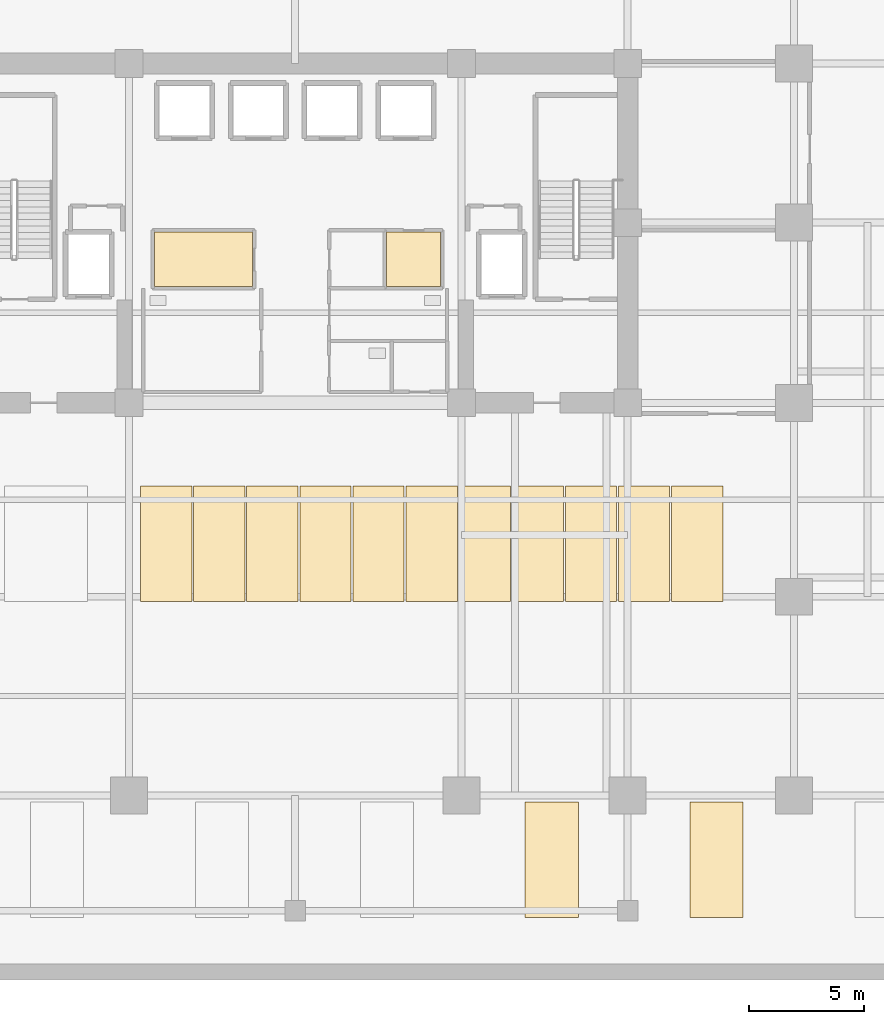
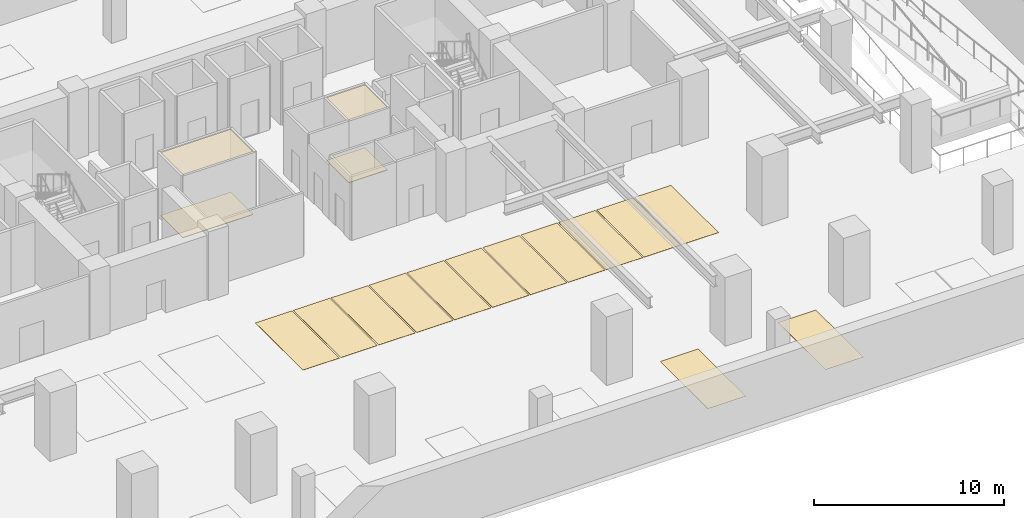
# One storey, part 9 of 14: 17 coverings.
"""IFC4 building model written with IfcOpenShell, lengths in metres."""

from ifc_helpers import new_model, si_unit, direction, frame, origin, place, context, subcontext, project, spatial, polyline, outline, extrude, material, layer, layer_set, type_object, element, save


model = new_model("IFC4")

# Units and contexts
model_context = context("Model", 3, precision=1e-05, world=origin(), true_north=direction((0.0, 1.0)))
body_context = subcontext(model_context, "Body", "Model", "MODEL_VIEW")
ifc_project = project(units=[si_unit("LENGTHUNIT", "METRE"), si_unit("AREAUNIT", "SQUARE_METRE"), si_unit("VOLUMEUNIT", "CUBIC_METRE"), si_unit("PLANEANGLEUNIT", "RADIAN"), si_unit("MASSUNIT", "GRAM", prefix="KILO")], contexts=[model_context])

# Site, building, storey
site_placement = place(None, origin())
site = spatial("IfcSite", under=ifc_project, at=site_placement, CompositionType="ELEMENT")
building_placement = place(site_placement, origin())
building = spatial("IfcBuilding", under=site, at=building_placement, Name="Zarnakvel Exchange Tower", CompositionType="ELEMENT")
storey_placement = place(building_placement, frame((0.0, 0.0, -4.39990234375)))
storey = spatial("IfcBuildingStorey", under=building, at=storey_placement, Name="B01", CompositionType="ELEMENT", Elevation=-4.39990234375)

# Coverings
ifc_material_1 = material(Name="Perforated Bronze Acoustic Metal Ceiling", Category="aluminium")
ifc_layer_1 = layer(ifc_material_1, 0.02001953125)
ifc_layer_set_1 = layer_set([ifc_layer_1], Name="Perforated Bronze Acoustic Metal Ceiling")
covering_type_1 = type_object("IfcCoveringType", Name="CLG-01", PredefinedType="CEILING", material=ifc_layer_set_1)
covering_1_placement = place(storey_placement, frame((0.0, 0.0, 4.039794921875)))
element("IfcCovering", 1, at=covering_1_placement, inside=storey, type_object=covering_type_1, Name="B01 Suspended Acoustic Ceiling (Regulatory Archive Office)", PredefinedType="CEILING", context=body_context, shape_type="SweptSolid", body=[
    extrude(outline(polyline([(-6.10009765625, 6.199951171875), (-1.85009765625, 6.199951171875), (-1.85009765625, 3.840087890625), (-6.10009765625, 3.840087890625), (-6.10009765625, 6.199951171875)])), origin(), (0.0, 0.0, 1.0), 0.02001953125),
])
covering_2_placement = place(storey_placement, frame((0.0, 0.0, 4.039794921875)))
element("IfcCovering", 2, at=covering_2_placement, inside=storey, type_object=covering_type_1, Name="B01 Suspended Acoustic Ceiling (Data Copy Room)", PredefinedType="CEILING", context=body_context, shape_type="SweptSolid", body=[
    extrude(outline(polyline([(3.9599609375, 6.199951171875), (6.300048828125, 6.199951171875), (6.300048828125, 3.840087890625), (3.9599609375, 3.840087890625), (3.9599609375, 6.199951171875)])), origin(), (0.0, 0.0, 1.0), 0.02001953125),
])
ifc_material_2 = material(Name="Heavy-Duty Raised Access Floor Panel", Category="steel")
ifc_layer_2 = layer(ifc_material_2, 0.034912109375)
ifc_layer_set_2 = layer_set([ifc_layer_2], Name="Heavy-Duty Raised Access Floor Panel")
covering_type_2 = type_object("IfcCoveringType", Name="FLR-02", PredefinedType="FLOORING", material=ifc_layer_set_2)
covering_3_placement = place(storey_placement, origin())
element("IfcCovering", 3, at=covering_3_placement, inside=storey, type_object=covering_type_2, Name="B01 Floor Finish (Regulatory Archive Office)", PredefinedType="FLOORING", context=body_context, shape_type="SweptSolid", body=[
    extrude(outline(polyline([(-6.10009765625, 6.199951171875), (-1.85009765625, 6.199951171875), (-1.85009765625, 3.840087890625), (-6.10009765625, 3.840087890625), (-6.10009765625, 6.199951171875)])), origin(), (0.0, 0.0, 1.0), 0.034912109375),
])
covering_4_placement = place(storey_placement, origin())
element("IfcCovering", 4, at=covering_4_placement, inside=storey, type_object=covering_type_2, Name="B01 Floor Finish (Data Copy Room)", PredefinedType="FLOORING", context=body_context, shape_type="SweptSolid", body=[
    extrude(outline(polyline([(3.9599609375, 6.199951171875), (6.300048828125, 6.199951171875), (6.300048828125, 3.840087890625), (3.9599609375, 3.840087890625), (3.9599609375, 6.199951171875)])), origin(), (0.0, 0.0, 1.0), 0.034912109375),
])
ifc_material_3 = material(Name="Thermoplastic Acrylic Bay Marking", Category="finish")
ifc_layer_3 = layer(ifc_material_3, 0.010009765625)
ifc_layer_set_3 = layer_set([ifc_layer_3], Name="Thermoplastic Acrylic Bay Marking")
covering_type_3 = type_object("IfcCoveringType", Name="MK-01", PredefinedType="FLOORING", material=ifc_layer_set_3)
covering_5_placement = place(storey_placement, origin())
element("IfcCovering", 5, at=covering_5_placement, inside=storey, type_object=covering_type_3, Name="B01 Standard Parking Bay Marking B01-09", PredefinedType="FLOORING", context=body_context, shape_type="SweptSolid", body=[
    extrude(outline(polyline([(9.9599609375, -23.5), (12.260009765625, -23.5), (12.260009765625, -18.5), (9.9599609375, -18.5), (9.9599609375, -23.5)])), origin(), (0.0, 0.0, 1.0), 0.010009765625),
])
covering_6_placement = place(storey_placement, origin())
element("IfcCovering", 6, at=covering_6_placement, inside=storey, type_object=covering_type_3, Name="B01 Standard Parking Bay Marking B01-10", PredefinedType="FLOORING", context=body_context, shape_type="SweptSolid", body=[
    extrude(outline(polyline([(17.10009765625, -23.5), (19.39990234375, -23.5), (19.39990234375, -18.5), (17.10009765625, -18.5), (17.10009765625, -23.5)])), origin(), (0.0, 0.0, 1.0), 0.010009765625),
])
covering_7_placement = place(storey_placement, origin())
element("IfcCovering", 7, at=covering_7_placement, inside=storey, type_object=covering_type_3, Name="B01 Standard Parking Bay Marking B01-14", PredefinedType="FLOORING", context=body_context, shape_type="SweptSolid", body=[
    extrude(outline(polyline([(-6.699951171875, -9.800048828125), (-4.47998046875, -9.800048828125), (-4.47998046875, -4.800048828125), (-6.699951171875, -4.800048828125), (-6.699951171875, -9.800048828125)])), origin(), (0.0, 0.0, 1.0), 0.010009765625),
])
covering_8_placement = place(storey_placement, origin())
element("IfcCovering", 8, at=covering_8_placement, inside=storey, type_object=covering_type_3, Name="B01 Standard Parking Bay Marking B01-15", PredefinedType="FLOORING", context=body_context, shape_type="SweptSolid", body=[
    extrude(outline(polyline([(-4.39990234375, -9.800048828125), (-2.179931640625, -9.800048828125), (-2.179931640625, -4.800048828125), (-4.39990234375, -4.800048828125), (-4.39990234375, -9.800048828125)])), origin(), (0.0, 0.0, 1.0), 0.010009765625),
])
covering_9_placement = place(storey_placement, origin())
element("IfcCovering", 9, at=covering_9_placement, inside=storey, type_object=covering_type_3, Name="B01 Standard Parking Bay Marking B01-16", PredefinedType="FLOORING", context=body_context, shape_type="SweptSolid", body=[
    extrude(outline(polyline([(-2.10009765625, -9.800048828125), (0.1201171875, -9.800048828125), (0.1201171875, -4.800048828125), (-2.10009765625, -4.800048828125), (-2.10009765625, -9.800048828125)])), origin(), (0.0, 0.0, 1.0), 0.010009765625),
])
covering_10_placement = place(storey_placement, origin())
element("IfcCovering", 10, at=covering_10_placement, inside=storey, type_object=covering_type_3, Name="B01 Standard Parking Bay Marking B01-17", PredefinedType="FLOORING", context=body_context, shape_type="SweptSolid", body=[
    extrude(outline(polyline([(0.199951171875, -9.800048828125), (2.419921875, -9.800048828125), (2.419921875, -4.800048828125), (0.199951171875, -4.800048828125), (0.199951171875, -9.800048828125)])), origin(), (0.0, 0.0, 1.0), 0.010009765625),
])
covering_11_placement = place(storey_placement, origin())
element("IfcCovering", 11, at=covering_11_placement, inside=storey, type_object=covering_type_3, Name="B01 Standard Parking Bay Marking B01-18", PredefinedType="FLOORING", context=body_context, shape_type="SweptSolid", body=[
    extrude(outline(polyline([(2.5, -9.800048828125), (4.719970703125, -9.800048828125), (4.719970703125, -4.800048828125), (2.5, -4.800048828125), (2.5, -9.800048828125)])), origin(), (0.0, 0.0, 1.0), 0.010009765625),
])
covering_12_placement = place(storey_placement, origin())
element("IfcCovering", 12, at=covering_12_placement, inside=storey, type_object=covering_type_3, Name="B01 Standard Parking Bay Marking B01-19", PredefinedType="FLOORING", context=body_context, shape_type="SweptSolid", body=[
    extrude(outline(polyline([(4.800048828125, -9.800048828125), (7.02001953125, -9.800048828125), (7.02001953125, -4.800048828125), (4.800048828125, -4.800048828125), (4.800048828125, -9.800048828125)])), origin(), (0.0, 0.0, 1.0), 0.010009765625),
])
covering_13_placement = place(storey_placement, origin())
element("IfcCovering", 13, at=covering_13_placement, inside=storey, type_object=covering_type_3, Name="B01 Standard Parking Bay Marking B01-20", PredefinedType="FLOORING", context=body_context, shape_type="SweptSolid", body=[
    extrude(outline(polyline([(7.10009765625, -9.800048828125), (9.320068359375, -9.800048828125), (9.320068359375, -4.800048828125), (7.10009765625, -4.800048828125), (7.10009765625, -9.800048828125)])), origin(), (0.0, 0.0, 1.0), 0.010009765625),
])
covering_14_placement = place(storey_placement, origin())
element("IfcCovering", 14, at=covering_14_placement, inside=storey, type_object=covering_type_3, Name="B01 Standard Parking Bay Marking B01-21", PredefinedType="FLOORING", context=body_context, shape_type="SweptSolid", body=[
    extrude(outline(polyline([(9.39990234375, -9.800048828125), (11.6201171875, -9.800048828125), (11.6201171875, -4.800048828125), (9.39990234375, -4.800048828125), (9.39990234375, -9.800048828125)])), origin(), (0.0, 0.0, 1.0), 0.010009765625),
])
covering_15_placement = place(storey_placement, origin())
element("IfcCovering", 15, at=covering_15_placement, inside=storey, type_object=covering_type_3, Name="B01 Standard Parking Bay Marking B01-22", PredefinedType="FLOORING", context=body_context, shape_type="SweptSolid", body=[
    extrude(outline(polyline([(11.699951171875, -9.800048828125), (13.919921875, -9.800048828125), (13.919921875, -4.800048828125), (11.699951171875, -4.800048828125), (11.699951171875, -9.800048828125)])), origin(), (0.0, 0.0, 1.0), 0.010009765625),
])
covering_16_placement = place(storey_placement, origin())
element("IfcCovering", 16, at=covering_16_placement, inside=storey, type_object=covering_type_3, Name="B01 Standard Parking Bay Marking B01-23", PredefinedType="FLOORING", context=body_context, shape_type="SweptSolid", body=[
    extrude(outline(polyline([(14.0, -9.800048828125), (16.219970703125, -9.800048828125), (16.219970703125, -4.800048828125), (14.0, -4.800048828125), (14.0, -9.800048828125)])), origin(), (0.0, 0.0, 1.0), 0.010009765625),
])
covering_17_placement = place(storey_placement, origin())
element("IfcCovering", 17, at=covering_17_placement, inside=storey, type_object=covering_type_3, Name="B01 Standard Parking Bay Marking B01-24", PredefinedType="FLOORING", context=body_context, shape_type="SweptSolid", body=[
    extrude(outline(polyline([(16.300048828125, -9.800048828125), (18.52001953125, -9.800048828125), (18.52001953125, -4.800048828125), (16.300048828125, -4.800048828125), (16.300048828125, -9.800048828125)])), origin(), (0.0, 0.0, 1.0), 0.010009765625),
])

save(model, "model.ifc")
